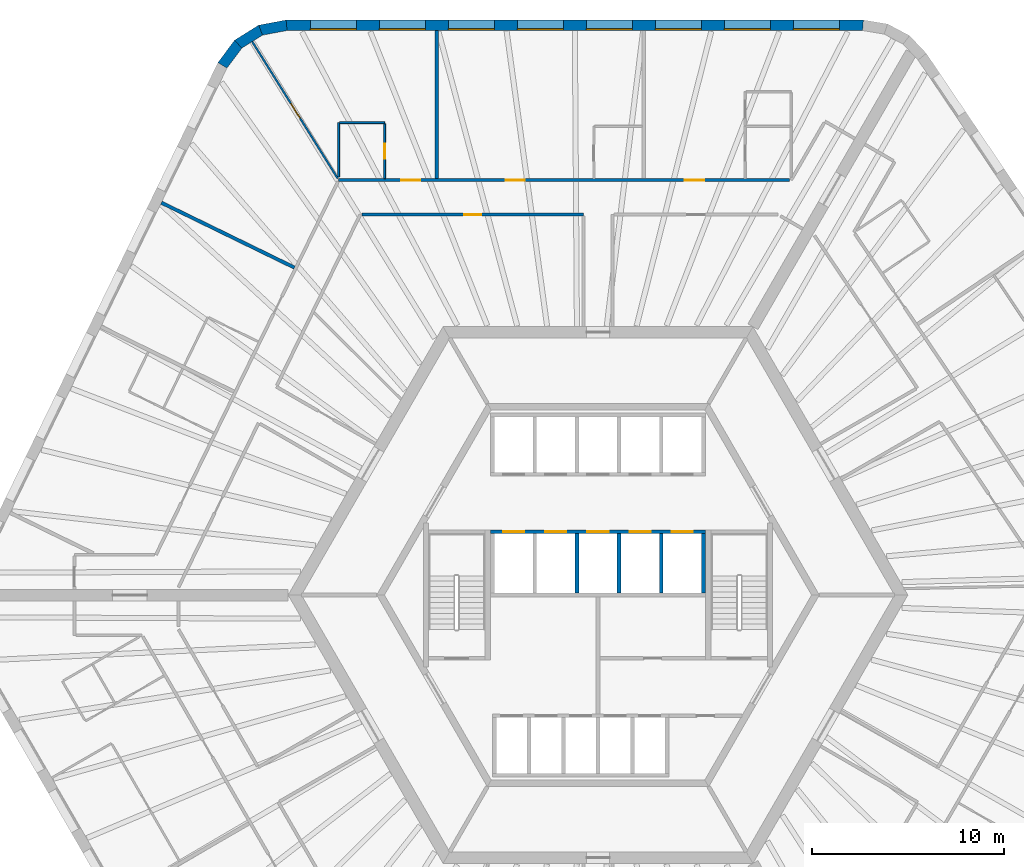
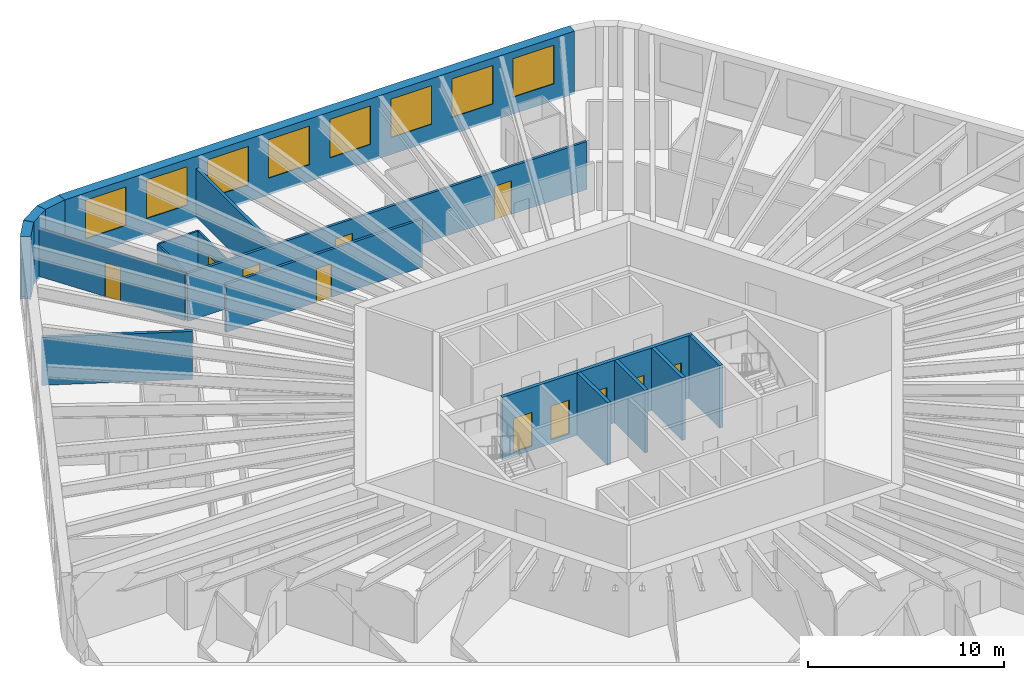
# One storey, part 8 of 12: 17 walls, 11 doors, 8 windows, 19 openings.
"""IFC4 building model written with IfcOpenShell, lengths in metres."""

from ifc_helpers import new_model, si_unit, direction, frame, frame_2d, origin, place, context, subcontext, project, spatial, polyline, rectangle, outline, extrude, material, layer, layer_set, type_object, element, fill, save


model = new_model("IFC4")

# Units and contexts
model_context = context("Model", 3, precision=1e-05, world=origin(), true_north=direction((0.0, 1.0)))
body_context = subcontext(model_context, "Body", "Model", "MODEL_VIEW")
ifc_project = project(units=[si_unit("LENGTHUNIT", "METRE"), si_unit("AREAUNIT", "SQUARE_METRE"), si_unit("VOLUMEUNIT", "CUBIC_METRE"), si_unit("PLANEANGLEUNIT", "RADIAN"), si_unit("MASSUNIT", "GRAM", prefix="KILO")], contexts=[model_context])

# Site, building, storey
site_placement = place(None, origin())
site = spatial("IfcSite", under=ifc_project, at=site_placement, CompositionType="ELEMENT")
building_placement = place(site_placement, origin())
building = spatial("IfcBuilding", under=site, at=building_placement, Name="Tarnside Tower", CompositionType="ELEMENT")
storey_placement = place(building_placement, frame((0.0, 0.0, 84.300048828125)))
storey = spatial("IfcBuildingStorey", under=building, at=storey_placement, Name="L18", CompositionType="ELEMENT", Elevation=84.300048828125)

# Walls
ifc_material_1 = material(Name="Gypsum board partition on steel studs", Category="steel")
ifc_layer_1 = layer(ifc_material_1, 0.10009765625)
ifc_layer_set_1 = layer_set([ifc_layer_1], Name="Bathroom wall 100")
wall_type_1 = type_object("IfcWallType", Name="Bathroom wall 100", PredefinedType="PARTITIONING", material=ifc_layer_set_1)
wall_1_placement = place(storey_placement, frame((-13.5283203125, 21.821044921875, 0.0), z_axis=(0.0, 0.0, 1.0), x_axis=(0.0, 1.0, 0.0)))
element("IfcWall", 1, at=wall_1_placement, inside=storey, type_object=wall_type_1, Name="Bathroom wall 05090", PredefinedType="PARTITIONING", context=body_context, shape_type="SweptSolid", body=[
    extrude(rectangle(XDim=2.828857421875, YDim=0.10009765625, at=frame_2d((1.41455078125, 0.0))), origin(), (0.0, 0.0, 1.0), 2.98779296875),
])
wall_2_placement = place(storey_placement, frame((-13.478515625, 24.64990234375, 0.0), z_axis=(0.0, 0.0, 1.0), x_axis=(1.0, 0.0, 0.0)))
element("IfcWall", 2, at=wall_2_placement, inside=storey, type_object=wall_type_1, Name="Bathroom wall 05091", PredefinedType="PARTITIONING", context=body_context, shape_type="SweptSolid", body=[
    extrude(rectangle(XDim=2.35009765625, YDim=0.10009765625, at=frame_2d((1.175048828125, 0.0))), origin(), (0.0, 0.0, 1.0), 2.98779296875),
])

# Wall, opening, door
wall_3_placement = place(storey_placement, frame((-11.12841796875, 24.60009765625, 0.0), z_axis=(0.0, 0.0, 1.0), x_axis=(0.0, -1.0, 0.0)))
wall_3 = element("IfcWall", 3, at=wall_3_placement, inside=storey, type_object=wall_type_1, Name="Bathroom wall 05092", PredefinedType="PARTITIONING", context=body_context, shape_type="SweptSolid", body=[
    extrude(rectangle(XDim=2.875, YDim=0.10009765625, at=frame_2d((1.4375, 0.0))), origin(), (0.0, 0.0, 1.0), 2.98779296875),
])
opening_1_placement = place(wall_3_placement, frame((1.050048828125, 0.0, 0.0)))
opening_1 = element("IfcOpeningElement", 4, at=opening_1_placement, cuts=wall_3, Name="Opening D-B1", PredefinedType="OPENING", context=body_context, shape_type="SweptSolid", body=[
    extrude(rectangle(XDim=0.800048828125, YDim=2.10009765625, at=frame_2d((0.39990234375, 1.050048828125))), frame((0.0, 0.06005859375, 0.0), z_axis=(0.0, -1.0, 0.0), x_axis=(1.0, 0.0, 0.0)), (0.0, 0.0, 1.0), 0.1201171875),
])
ifc_material_2 = material(Name="Timber door leaf", Category="wood")
door_type_1 = type_object("IfcDoorType", Name="Bathroom door 800", OperationType="NOTDEFINED", PredefinedType="DOOR", material=ifc_material_2)
door_1_placement = place(opening_1_placement, origin())
door_1 = element("IfcDoor", 5, at=door_1_placement, inside=storey, type_object=door_type_1, Name="Bathroom door 05007", OperationType="SINGLE_SWING_RIGHT", OverallHeight=2.10009765625, OverallWidth=0.800048828125, PredefinedType="DOOR", context=body_context, shape_type="SweptSolid", body=[
    extrude(rectangle(XDim=0.800048828125, YDim=2.10009765625, at=frame_2d((0.39990234375, 1.050048828125))), frame((0.0, 0.02490234375, 0.0), z_axis=(0.0, -1.0, 0.0), x_axis=(1.0, 0.0, 0.0)), (0.0, 0.0, 1.0), 0.050048828125),
])
fill(opening_1, door_1)

# Wall, openings, doors
ifc_layer_2 = layer(ifc_material_1, 0.14990234375)
ifc_layer_set_2 = layer_set([ifc_layer_2], Name="Corridor wall 150 EI 60")
wall_type_2 = type_object("IfcWallType", Name="Corridor wall 150 EI 60", PredefinedType="PARTITIONING", material=ifc_layer_set_2)
wall_4_placement = place(storey_placement, frame((9.988037109375, 21.64990234375, 0.0), z_axis=(0.0, 0.0, 1.0), x_axis=(-1.0, 0.0, 0.0)))
wall_4 = element("IfcWall", 6, at=wall_4_placement, inside=storey, type_object=wall_type_2, Name="Corridor wall 05001", PredefinedType="PARTITIONING", context=body_context, shape_type="SweptSolid", body=[
    extrude(rectangle(XDim=23.516357421875, YDim=0.14990234375, at=frame_2d((11.75830078125, 0.0))), origin(), (0.0, 0.0, 1.0), 2.98779296875),
])
opening_2_placement = place(wall_4_placement, frame((4.456298828125, 0.0, 0.0)))
opening_2 = element("IfcOpeningElement", 7, at=opening_2_placement, cuts=wall_4, Name="Opening D-E1", PredefinedType="OPENING", context=body_context, shape_type="SweptSolid", body=[
    extrude(rectangle(XDim=1.0, YDim=2.10009765625, at=frame_2d((0.5, 1.050048828125))), frame((0.0, 0.0849609375, 0.0), z_axis=(0.0, -1.0, 0.0), x_axis=(1.0, 0.0, 0.0)), (0.0, 0.0, 1.0), 0.169921875),
])
opening_3_placement = place(wall_4_placement, frame((13.79931640625, 0.0, 0.0)))
opening_3 = element("IfcOpeningElement", 8, at=opening_3_placement, cuts=wall_4, Name="Opening D-E1", PredefinedType="OPENING", context=body_context, shape_type="SweptSolid", body=[
    extrude(rectangle(XDim=1.0, YDim=2.10009765625, at=frame_2d((0.5, 1.050048828125))), frame((0.0, 0.0849609375, 0.0), z_axis=(0.0, -1.0, 0.0), x_axis=(1.0, 0.0, 0.0)), (0.0, 0.0, 1.0), 0.169921875),
])
opening_4_placement = place(wall_4_placement, frame((19.2578125, 0.0, 0.0)))
opening_4 = element("IfcOpeningElement", 9, at=opening_4_placement, cuts=wall_4, Name="Opening D-E1", PredefinedType="OPENING", context=body_context, shape_type="SweptSolid", body=[
    extrude(rectangle(XDim=1.0, YDim=2.10009765625, at=frame_2d((0.5, 1.050048828125))), frame((0.0, 0.0849609375, 0.0), z_axis=(0.0, -1.0, 0.0), x_axis=(1.0, 0.0, 0.0)), (0.0, 0.0, 1.0), 0.169921875),
])
door_type_2 = type_object("IfcDoorType", Name="Unit entrance door 1000 FD30S", OperationType="NOTDEFINED", PredefinedType="DOOR", material=ifc_material_2)
door_2_placement = place(opening_2_placement, origin())
door_2 = element("IfcDoor", 10, at=door_2_placement, inside=storey, type_object=door_type_2, Name="Unit door 05001", OperationType="SINGLE_SWING_RIGHT", OverallHeight=2.10009765625, OverallWidth=1.0, PredefinedType="DOOR", context=body_context, shape_type="SweptSolid", body=[
    extrude(rectangle(XDim=1.0, YDim=2.10009765625, at=frame_2d((0.5, 1.050048828125))), frame((0.0, 0.02490234375, 0.0), z_axis=(0.0, -1.0, 0.0), x_axis=(1.0, 0.0, 0.0)), (0.0, 0.0, 1.0), 0.050048828125),
])
fill(opening_2, door_2)
door_3_placement = place(opening_3_placement, origin())
door_3 = element("IfcDoor", 11, at=door_3_placement, inside=storey, type_object=door_type_2, Name="Unit door 05004", OperationType="SINGLE_SWING_LEFT", OverallHeight=2.10009765625, OverallWidth=1.0, PredefinedType="DOOR", context=body_context, shape_type="SweptSolid", body=[
    extrude(rectangle(XDim=1.0, YDim=2.10009765625, at=frame_2d((0.5, 1.050048828125))), frame((0.0, 0.02490234375, 0.0), z_axis=(0.0, -1.0, 0.0), x_axis=(1.0, 0.0, 0.0)), (0.0, 0.0, 1.0), 0.050048828125),
])
fill(opening_3, door_3)
door_4_placement = place(opening_4_placement, origin())
door_4 = element("IfcDoor", 12, at=door_4_placement, inside=storey, type_object=door_type_2, Name="Unit door 05006", OperationType="SINGLE_SWING_RIGHT", OverallHeight=2.10009765625, OverallWidth=1.0, PredefinedType="DOOR", context=body_context, shape_type="SweptSolid", body=[
    extrude(rectangle(XDim=1.0, YDim=2.10009765625, at=frame_2d((0.5, 1.050048828125))), frame((0.0, 0.02490234375, 0.0), z_axis=(0.0, -1.0, 0.0), x_axis=(1.0, 0.0, 0.0)), (0.0, 0.0, 1.0), 0.050048828125),
])
fill(opening_4, door_4)

# Wall, opening, door
wall_5_placement = place(storey_placement, frame((-12.3203125, 19.85009765625, 0.0), z_axis=(0.0, 0.0, 1.0), x_axis=(1.0, 0.0, 0.0)))
wall_5 = element("IfcWall", 13, at=wall_5_placement, inside=storey, type_object=wall_type_2, Name="Corridor wall 05018", PredefinedType="PARTITIONING", context=body_context, shape_type="SweptSolid", body=[
    extrude(rectangle(XDim=11.5703125, YDim=0.14990234375, at=frame_2d((5.78515625, 0.0))), origin(), (0.0, 0.0, 1.0), 2.98779296875),
])
opening_5_placement = place(wall_5_placement, frame((5.335205078125, 0.0, 0.0)))
opening_5 = element("IfcOpeningElement", 14, at=opening_5_placement, cuts=wall_5, Name="Opening D-S1", PredefinedType="OPENING", context=body_context, shape_type="SweptSolid", body=[
    extrude(rectangle(XDim=0.89990234375, YDim=2.10009765625, at=frame_2d((0.449951171875, 1.050048828125))), frame((0.0, 0.0849609375, 0.0), z_axis=(0.0, -1.0, 0.0), x_axis=(1.0, 0.0, 0.0)), (0.0, 0.0, 1.0), 0.169921875),
])
door_type_3 = type_object("IfcDoorType", Name="Service room door 900 FD30S", OperationType="NOTDEFINED", PredefinedType="DOOR", material=ifc_material_2)
door_5_placement = place(opening_5_placement, origin())
door_5 = element("IfcDoor", 15, at=door_5_placement, inside=storey, type_object=door_type_3, Name="Service door 05041", OperationType="SINGLE_SWING_RIGHT", OverallHeight=2.10009765625, OverallWidth=0.89990234375, PredefinedType="DOOR", context=body_context, shape_type="SweptSolid", body=[
    extrude(rectangle(XDim=0.89990234375, YDim=2.10009765625, at=frame_2d((0.449951171875, 1.050048828125))), frame((0.0, 0.02490234375, 0.0), z_axis=(0.0, -1.0, 0.0), x_axis=(1.0, 0.0, 0.0)), (0.0, 0.0, 1.0), 0.050048828125),
])
fill(opening_5, door_5)

# Walls
ifc_layer_3 = layer(ifc_material_1, 0.179931640625)
ifc_layer_set_3 = layer_set([ifc_layer_3], Name="Demising wall 180 EI 60")
wall_type_3 = type_object("IfcWallType", Name="Demising wall 180 EI 60", PredefinedType="PARTITIONING", material=ifc_layer_set_3)
for number, where, z_axis, x_axis, name in (
    (16, (-8.4111328125, 29.449951171875, 0.0), (0.0, 0.0, 1.0), (0.0, -1.0, 0.0), "Demising wall 05089"),
    (17, (-22.7822265625, 20.469970703125, 0.0), (0.0, 0.0, 1.0), (0.898789402655, -0.438380667542, 0.0), "Demising wall 05094"),
):
    element("IfcWall", number, at=place(storey_placement, frame(where, z_axis=z_axis, x_axis=x_axis)), inside=storey, type_object=wall_type_3, Name=name, PredefinedType="PARTITIONING", context=body_context, shape_type="SweptSolid", body=[
        extrude(rectangle(XDim=7.724853515625, YDim=0.179931640625, at=frame_2d((3.8623046875, 0.0))), origin(), (0.0, 0.0, 1.0), 2.98779296875),
    ])

# Wall, openings, doors
ifc_material_3 = material(Name="Concrete C40/50", Category="concrete")
ifc_layer_4 = layer(ifc_material_3, 0.199951171875)
ifc_layer_set_4 = layer_set([ifc_layer_4], Name="Lift shaft wall 200 C40/50")
wall_type_4 = type_object("IfcWallType", Name="Lift shaft wall 200 C40/50", PredefinedType="SHEAR", material=ifc_layer_set_4)
wall_6_placement = place(storey_placement, frame((-5.60009765625, 3.300048828125, -0.25), z_axis=(0.0, 0.0, 1.0), x_axis=(1.0, 0.0, 0.0)))
wall_6 = element("IfcWall", 18, at=wall_6_placement, inside=storey, type_object=wall_type_4, Name="L18 lift shaft front wall R2", PredefinedType="SHEAR", context=body_context, shape_type="SweptSolid", body=[
    extrude(rectangle(XDim=11.2001953125, YDim=0.199951171875, at=frame_2d((5.60009765625, 0.0))), origin(), (0.0, 0.0, 1.0), 3.89990234375),
])
opening_6_placement = place(wall_6_placement, frame((0.64990234375, 0.0, 0.25)))
opening_6 = element("IfcOpeningElement", 19, at=opening_6_placement, cuts=wall_6, Name="Opening LD", PredefinedType="OPENING", context=body_context, shape_type="SweptSolid", body=[
    extrude(rectangle(XDim=1.10009765625, YDim=2.10009765625, at=frame_2d((0.550048828125, 1.050048828125))), frame((0.0, 0.10986328125, 0.0), z_axis=(0.0, -1.0, 0.0), x_axis=(1.0, 0.0, 0.0)), (0.0, 0.0, 1.0), 0.219970703125),
])
opening_7_placement = place(wall_6_placement, frame((2.85009765625, 0.0, 0.25)))
opening_7 = element("IfcOpeningElement", 20, at=opening_7_placement, cuts=wall_6, Name="Opening LD", PredefinedType="OPENING", context=body_context, shape_type="SweptSolid", body=[
    extrude(rectangle(XDim=1.10009765625, YDim=2.10009765625, at=frame_2d((0.550048828125, 1.050048828125))), frame((0.0, 0.10986328125, 0.0), z_axis=(0.0, -1.0, 0.0), x_axis=(1.0, 0.0, 0.0)), (0.0, 0.0, 1.0), 0.219970703125),
])
opening_8_placement = place(wall_6_placement, frame((5.050048828125, 0.0, 0.25)))
opening_8 = element("IfcOpeningElement", 21, at=opening_8_placement, cuts=wall_6, Name="Opening LD", PredefinedType="OPENING", context=body_context, shape_type="SweptSolid", body=[
    extrude(rectangle(XDim=1.10009765625, YDim=2.10009765625, at=frame_2d((0.550048828125, 1.050048828125))), frame((0.0, 0.10986328125, 0.0), z_axis=(0.0, -1.0, 0.0), x_axis=(1.0, 0.0, 0.0)), (0.0, 0.0, 1.0), 0.219970703125),
])
opening_9_placement = place(wall_6_placement, frame((7.25, 0.0, 0.25)))
opening_9 = element("IfcOpeningElement", 22, at=opening_9_placement, cuts=wall_6, Name="Opening LD", PredefinedType="OPENING", context=body_context, shape_type="SweptSolid", body=[
    extrude(rectangle(XDim=1.10009765625, YDim=2.10009765625, at=frame_2d((0.550048828125, 1.050048828125))), frame((0.0, 0.10986328125, 0.0), z_axis=(0.0, -1.0, 0.0), x_axis=(1.0, 0.0, 0.0)), (0.0, 0.0, 1.0), 0.219970703125),
])
opening_10_placement = place(wall_6_placement, frame((9.449951171875, 0.0, 0.25)))
opening_10 = element("IfcOpeningElement", 23, at=opening_10_placement, cuts=wall_6, Name="Opening LD", PredefinedType="OPENING", context=body_context, shape_type="SweptSolid", body=[
    extrude(rectangle(XDim=1.10009765625, YDim=2.10009765625, at=frame_2d((0.550048828125, 1.050048828125))), frame((0.0, 0.10986328125, 0.0), z_axis=(0.0, -1.0, 0.0), x_axis=(1.0, 0.0, 0.0)), (0.0, 0.0, 1.0), 0.219970703125),
])
ifc_material_4 = material(Name="Stainless steel", Category="steel")
door_type_4 = type_object("IfcDoorType", Name="Lift landing door 1100x2100", OperationType="NOTDEFINED", PredefinedType="DOOR", material=ifc_material_4)
door_6_placement = place(opening_6_placement, origin())
door_6 = element("IfcDoor", 24, at=door_6_placement, inside=storey, type_object=door_type_4, Name="Low-rise lift 4 landing door L18", OperationType="SLIDING_TO_LEFT", OverallHeight=2.10009765625, OverallWidth=1.10009765625, PredefinedType="DOOR", context=body_context, shape_type="SweptSolid", body=[
    extrude(rectangle(XDim=1.10009765625, YDim=2.10009765625, at=frame_2d((0.550048828125, 1.050048828125))), frame((0.0, 0.02490234375, 0.0), z_axis=(0.0, -1.0, 0.0), x_axis=(1.0, 0.0, 0.0)), (0.0, 0.0, 1.0), 0.050048828125),
])
fill(opening_6, door_6)
door_7_placement = place(opening_7_placement, origin())
door_7 = element("IfcDoor", 25, at=door_7_placement, inside=storey, type_object=door_type_4, Name="Low-rise lift 5 landing door L18", OperationType="SLIDING_TO_LEFT", OverallHeight=2.10009765625, OverallWidth=1.10009765625, PredefinedType="DOOR", context=body_context, shape_type="SweptSolid", body=[
    extrude(rectangle(XDim=1.10009765625, YDim=2.10009765625, at=frame_2d((0.550048828125, 1.050048828125))), frame((0.0, 0.02490234375, 0.0), z_axis=(0.0, -1.0, 0.0), x_axis=(1.0, 0.0, 0.0)), (0.0, 0.0, 1.0), 0.050048828125),
])
fill(opening_7, door_7)
door_8_placement = place(opening_8_placement, origin())
door_8 = element("IfcDoor", 26, at=door_8_placement, inside=storey, type_object=door_type_4, Name="Low-rise lift 6 landing door L18", OperationType="SLIDING_TO_LEFT", OverallHeight=2.10009765625, OverallWidth=1.10009765625, PredefinedType="DOOR", context=body_context, shape_type="SweptSolid", body=[
    extrude(rectangle(XDim=1.10009765625, YDim=2.10009765625, at=frame_2d((0.550048828125, 1.050048828125))), frame((0.0, 0.02490234375, 0.0), z_axis=(0.0, -1.0, 0.0), x_axis=(1.0, 0.0, 0.0)), (0.0, 0.0, 1.0), 0.050048828125),
])
fill(opening_8, door_8)
door_9_placement = place(opening_9_placement, origin())
door_9 = element("IfcDoor", 27, at=door_9_placement, inside=storey, type_object=door_type_4, Name="High sky-lobby shuttle 1 landing door L18", OperationType="SLIDING_TO_LEFT", OverallHeight=2.10009765625, OverallWidth=1.10009765625, PredefinedType="DOOR", context=body_context, shape_type="SweptSolid", body=[
    extrude(rectangle(XDim=1.10009765625, YDim=2.10009765625, at=frame_2d((0.550048828125, 1.050048828125))), frame((0.0, 0.02490234375, 0.0), z_axis=(0.0, -1.0, 0.0), x_axis=(1.0, 0.0, 0.0)), (0.0, 0.0, 1.0), 0.050048828125),
])
fill(opening_9, door_9)
door_10_placement = place(opening_10_placement, origin())
door_10 = element("IfcDoor", 28, at=door_10_placement, inside=storey, type_object=door_type_4, Name="Express sky-lobby shuttle 2 landing door L18", OperationType="SLIDING_TO_LEFT", OverallHeight=2.10009765625, OverallWidth=1.10009765625, PredefinedType="DOOR", context=body_context, shape_type="SweptSolid", body=[
    extrude(rectangle(XDim=1.10009765625, YDim=2.10009765625, at=frame_2d((0.550048828125, 1.050048828125))), frame((0.0, 0.02490234375, 0.0), z_axis=(0.0, -1.0, 0.0), x_axis=(1.0, 0.0, 0.0)), (0.0, 0.0, 1.0), 0.050048828125),
])
fill(opening_10, door_10)

# Walls
for number, where, z_axis, x_axis, name in (
    (29, (-1.10009765625, 0.10009765625, -0.25), (0.0, 0.0, 1.0), (0.0, 1.0, 0.0), "L18 lift shaft partition R23"),
    (30, (1.10009765625, 0.10009765625, -0.25), (0.0, 0.0, 1.0), (0.0, 1.0, 0.0), "L18 lift shaft partition R24"),
    (31, (3.300048828125, 0.10009765625, -0.25), (0.0, 0.0, 1.0), (0.0, 1.0, 0.0), "L18 lift shaft partition R25"),
    (32, (5.5, 0.10009765625, -0.25), (0.0, 0.0, 1.0), (0.0, 1.0, 0.0), "L18 lift shaft partition R26"),
):
    element("IfcWall", number, at=place(storey_placement, frame(where, z_axis=z_axis, x_axis=x_axis)), inside=storey, type_object=wall_type_4, Name=name, PredefinedType="SHEAR", context=body_context, shape_type="SweptSolid", body=[
        extrude(rectangle(XDim=3.099853515625, YDim=0.199951171875, at=frame_2d((1.5498046875, 0.0))), origin(), (0.0, 0.0, 1.0), 3.89990234375),
    ])

# Wall, opening, door
ifc_layer_5 = layer(ifc_material_1, 0.10009765625)
ifc_layer_set_5 = layer_set([ifc_layer_5], Name="Partition 100")
wall_type_5 = type_object("IfcWallType", Name="Partition 100", PredefinedType="PARTITIONING", material=ifc_layer_set_5)
wall_7_placement = place(storey_placement, frame((-18.040771484375, 28.87109375, 0.0), z_axis=(0.0, 0.0, 1.0), x_axis=(0.529931179757, -0.848040650394, 0.0)))
wall_7 = element("IfcWall", 33, at=wall_7_placement, inside=storey, type_object=wall_type_5, Name="Partition wall 05093", PredefinedType="PARTITIONING", context=body_context, shape_type="SweptSolid", body=[
    extrude(rectangle(XDim=8.420654296875, YDim=0.10009765625, at=frame_2d((4.21044921875, 0.0))), origin(), (0.0, 0.0, 1.0), 2.98779296875),
])
opening_11_placement = place(wall_7_placement, frame((3.8076171875, 0.0, 0.0)))
opening_11 = element("IfcOpeningElement", 34, at=opening_11_placement, cuts=wall_7, Name="Opening D-I1", PredefinedType="OPENING", context=body_context, shape_type="SweptSolid", body=[
    extrude(rectangle(XDim=0.89990234375, YDim=2.10009765625, at=frame_2d((0.449951171875, 1.050048828125))), frame((0.0, 0.06005859375, 0.0), z_axis=(0.0, -1.0, 0.0), x_axis=(1.0, 0.0, 0.0)), (0.0, 0.0, 1.0), 0.1201171875),
])
door_type_5 = type_object("IfcDoorType", Name="Internal door 900", OperationType="NOTDEFINED", PredefinedType="DOOR", material=ifc_material_2)
door_11_placement = place(opening_11_placement, origin())
door_11 = element("IfcDoor", 35, at=door_11_placement, inside=storey, type_object=door_type_5, Name="Internal door 05008", OperationType="SINGLE_SWING_LEFT", OverallHeight=2.10009765625, OverallWidth=0.89990234375, PredefinedType="DOOR", context=body_context, shape_type="SweptSolid", body=[
    extrude(rectangle(XDim=0.89990234375, YDim=2.10009765625, at=frame_2d((0.449951171875, 1.050048828125))), frame((0.0, 0.02490234375, 0.0), z_axis=(0.0, -1.0, 0.0), x_axis=(1.0, 0.0, 0.0)), (0.0, 0.0, 1.0), 0.050048828125),
])
fill(opening_11, door_11)

# Wall, openings, windows
ifc_material_5 = material(Name="Facing brick", Category="masonry")
ifc_layer_6 = layer(ifc_material_5, 0.10205078125)
ifc_material_6 = material(Name="Concrete C60/75 precast", Category="concrete")
ifc_layer_7 = layer(ifc_material_6, 0.347900390625)
ifc_material_7 = material(Name="Mineral wool insulation")
ifc_layer_8 = layer(ifc_material_7, 0.10009765625)
ifc_layer_set_6 = layer_set([ifc_layer_6, ifc_layer_7, ifc_layer_8], Name="Tube wall 550 brick faced")
wall_type_6 = type_object("IfcWallType", Name="Tube wall 550 brick faced", PredefinedType="SOLIDWALL", material=ifc_layer_set_6)
wall_8_placement = place(storey_placement, frame((13.824462890625, 29.72509765625, -0.150146484375), z_axis=(0.0, 0.0, 1.0), x_axis=(-1.0, 0.0, 0.0)))
wall_8 = element("IfcWall", 36, at=wall_8_placement, inside=storey, type_object=wall_type_6, Name="Tube wall L18 F1 flush 00", PredefinedType="SOLIDWALL", context=body_context, shape_type="SweptSolid", body=[
    extrude(outline(polyline([(-0.0224609375, -0.27490234375), (30.0966796875, -0.27490234375), (30.04541015625, 0.27490234375), (0.0224609375, 0.27490234375), (-0.0224609375, -0.27490234375)])), origin(), (0.0, 0.0, 1.0), 3.900146484375),
])
opening_12_placement = place(wall_8_placement, frame((1.235595703125, 0.0, 1.050048828125)))
opening_12 = element("IfcOpeningElement", 37, at=opening_12_placement, cuts=wall_8, Name="Opening WH", PredefinedType="OPENING", context=body_context, shape_type="SweptSolid", body=[
    extrude(rectangle(XDim=2.39990234375, YDim=2.39990234375, at=frame_2d((1.199951171875, 1.199951171875))), frame((0.0, 0.28515625, 0.0), z_axis=(0.0, -1.0, 0.0), x_axis=(1.0, 0.0, 0.0)), (0.0, 0.0, 1.0), 0.570068359375),
])
opening_13_placement = place(wall_8_placement, frame((4.83544921875, 0.0, 1.050048828125)))
opening_13 = element("IfcOpeningElement", 38, at=opening_13_placement, cuts=wall_8, Name="Opening WH", PredefinedType="OPENING", context=body_context, shape_type="SweptSolid", body=[
    extrude(rectangle(XDim=2.39990234375, YDim=2.39990234375, at=frame_2d((1.199951171875, 1.199951171875))), frame((0.0, 0.28515625, 0.0), z_axis=(0.0, -1.0, 0.0), x_axis=(1.0, 0.0, 0.0)), (0.0, 0.0, 1.0), 0.570068359375),
])
opening_14_placement = place(wall_8_placement, frame((8.435546875, 0.0, 1.050048828125)))
opening_14 = element("IfcOpeningElement", 39, at=opening_14_placement, cuts=wall_8, Name="Opening WH", PredefinedType="OPENING", context=body_context, shape_type="SweptSolid", body=[
    extrude(rectangle(XDim=2.39990234375, YDim=2.39990234375, at=frame_2d((1.199951171875, 1.199951171875))), frame((0.0, 0.28515625, 0.0), z_axis=(0.0, -1.0, 0.0), x_axis=(1.0, 0.0, 0.0)), (0.0, 0.0, 1.0), 0.570068359375),
])
opening_15_placement = place(wall_8_placement, frame((12.035400390625, 0.0, 1.050048828125)))
opening_15 = element("IfcOpeningElement", 40, at=opening_15_placement, cuts=wall_8, Name="Opening WH", PredefinedType="OPENING", context=body_context, shape_type="SweptSolid", body=[
    extrude(rectangle(XDim=2.39990234375, YDim=2.39990234375, at=frame_2d((1.199951171875, 1.199951171875))), frame((0.0, 0.28515625, 0.0), z_axis=(0.0, -1.0, 0.0), x_axis=(1.0, 0.0, 0.0)), (0.0, 0.0, 1.0), 0.570068359375),
])
opening_16_placement = place(wall_8_placement, frame((15.635498046875, 0.0, 1.050048828125)))
opening_16 = element("IfcOpeningElement", 41, at=opening_16_placement, cuts=wall_8, Name="Opening WH", PredefinedType="OPENING", context=body_context, shape_type="SweptSolid", body=[
    extrude(rectangle(XDim=2.39990234375, YDim=2.39990234375, at=frame_2d((1.199951171875, 1.199951171875))), frame((0.0, 0.28515625, 0.0), z_axis=(0.0, -1.0, 0.0), x_axis=(1.0, 0.0, 0.0)), (0.0, 0.0, 1.0), 0.570068359375),
])
opening_17_placement = place(wall_8_placement, frame((19.235595703125, 0.0, 1.050048828125)))
opening_17 = element("IfcOpeningElement", 42, at=opening_17_placement, cuts=wall_8, Name="Opening WH", PredefinedType="OPENING", context=body_context, shape_type="SweptSolid", body=[
    extrude(rectangle(XDim=2.39990234375, YDim=2.39990234375, at=frame_2d((1.199951171875, 1.199951171875))), frame((0.0, 0.28515625, 0.0), z_axis=(0.0, -1.0, 0.0), x_axis=(1.0, 0.0, 0.0)), (0.0, 0.0, 1.0), 0.570068359375),
])
opening_18_placement = place(wall_8_placement, frame((22.83544921875, 0.0, 1.050048828125)))
opening_18 = element("IfcOpeningElement", 43, at=opening_18_placement, cuts=wall_8, Name="Opening WH", PredefinedType="OPENING", context=body_context, shape_type="SweptSolid", body=[
    extrude(rectangle(XDim=2.39990234375, YDim=2.39990234375, at=frame_2d((1.199951171875, 1.199951171875))), frame((0.0, 0.28515625, 0.0), z_axis=(0.0, -1.0, 0.0), x_axis=(1.0, 0.0, 0.0)), (0.0, 0.0, 1.0), 0.570068359375),
])
opening_19_placement = place(wall_8_placement, frame((26.435546875, 0.0, 1.050048828125)))
opening_19 = element("IfcOpeningElement", 44, at=opening_19_placement, cuts=wall_8, Name="Opening WH", PredefinedType="OPENING", context=body_context, shape_type="SweptSolid", body=[
    extrude(rectangle(XDim=2.39990234375, YDim=2.39990234375, at=frame_2d((1.199951171875, 1.199951171875))), frame((0.0, 0.28515625, 0.0), z_axis=(0.0, -1.0, 0.0), x_axis=(1.0, 0.0, 0.0)), (0.0, 0.0, 1.0), 0.570068359375),
])
ifc_material_8 = material(Name="Aluminium-framed double glazing", Category="aluminium")
window_type = type_object("IfcWindowType", Name="Hotel window 2400 x 2400", PartitioningType="DOUBLE_PANEL_VERTICAL", PredefinedType="WINDOW", material=ifc_material_8)
window_1_placement = place(opening_12_placement, frame((0.0, 0.205078125, 0.0)))
window_1 = element("IfcWindow", 45, at=window_1_placement, inside=storey, type_object=window_type, Name="E.WN.L18.F1.00", OverallHeight=2.39990234375, OverallWidth=2.39990234375, PartitioningType="DOUBLE_PANEL_VERTICAL", PredefinedType="WINDOW", context=body_context, shape_type="SweptSolid", body=[
    extrude(rectangle(XDim=2.39990234375, YDim=2.39990234375, at=frame_2d((1.199951171875, 1.199951171875))), frame((0.0, 0.030029296875, 0.0), z_axis=(0.0, -1.0, 0.0), x_axis=(1.0, 0.0, 0.0)), (0.0, 0.0, 1.0), 0.06005859375),
])
fill(opening_12, window_1)
window_2_placement = place(opening_13_placement, frame((0.0, 0.205078125, 0.0)))
window_2 = element("IfcWindow", 46, at=window_2_placement, inside=storey, type_object=window_type, Name="E.WN.L18.F1.01", OverallHeight=2.39990234375, OverallWidth=2.39990234375, PartitioningType="DOUBLE_PANEL_VERTICAL", PredefinedType="WINDOW", context=body_context, shape_type="SweptSolid", body=[
    extrude(rectangle(XDim=2.39990234375, YDim=2.39990234375, at=frame_2d((1.199951171875, 1.199951171875))), frame((0.0, 0.030029296875, 0.0), z_axis=(0.0, -1.0, 0.0), x_axis=(1.0, 0.0, 0.0)), (0.0, 0.0, 1.0), 0.06005859375),
])
fill(opening_13, window_2)
window_3_placement = place(opening_14_placement, frame((0.0, 0.205078125, 0.0)))
window_3 = element("IfcWindow", 47, at=window_3_placement, inside=storey, type_object=window_type, Name="E.WN.L18.F1.02", OverallHeight=2.39990234375, OverallWidth=2.39990234375, PartitioningType="DOUBLE_PANEL_VERTICAL", PredefinedType="WINDOW", context=body_context, shape_type="SweptSolid", body=[
    extrude(rectangle(XDim=2.39990234375, YDim=2.39990234375, at=frame_2d((1.199951171875, 1.199951171875))), frame((0.0, 0.030029296875, 0.0), z_axis=(0.0, -1.0, 0.0), x_axis=(1.0, 0.0, 0.0)), (0.0, 0.0, 1.0), 0.06005859375),
])
fill(opening_14, window_3)
window_4_placement = place(opening_15_placement, frame((0.0, 0.205078125, 0.0)))
window_4 = element("IfcWindow", 48, at=window_4_placement, inside=storey, type_object=window_type, Name="E.WN.L18.F1.03", OverallHeight=2.39990234375, OverallWidth=2.39990234375, PartitioningType="DOUBLE_PANEL_VERTICAL", PredefinedType="WINDOW", context=body_context, shape_type="SweptSolid", body=[
    extrude(rectangle(XDim=2.39990234375, YDim=2.39990234375, at=frame_2d((1.199951171875, 1.199951171875))), frame((0.0, 0.030029296875, 0.0), z_axis=(0.0, -1.0, 0.0), x_axis=(1.0, 0.0, 0.0)), (0.0, 0.0, 1.0), 0.06005859375),
])
fill(opening_15, window_4)
window_5_placement = place(opening_16_placement, frame((0.0, 0.205078125, 0.0)))
window_5 = element("IfcWindow", 49, at=window_5_placement, inside=storey, type_object=window_type, Name="E.WN.L18.F1.04", OverallHeight=2.39990234375, OverallWidth=2.39990234375, PartitioningType="DOUBLE_PANEL_VERTICAL", PredefinedType="WINDOW", context=body_context, shape_type="SweptSolid", body=[
    extrude(rectangle(XDim=2.39990234375, YDim=2.39990234375, at=frame_2d((1.199951171875, 1.199951171875))), frame((0.0, 0.030029296875, 0.0), z_axis=(0.0, -1.0, 0.0), x_axis=(1.0, 0.0, 0.0)), (0.0, 0.0, 1.0), 0.06005859375),
])
fill(opening_16, window_5)
window_6_placement = place(opening_17_placement, frame((0.0, 0.205078125, 0.0)))
window_6 = element("IfcWindow", 50, at=window_6_placement, inside=storey, type_object=window_type, Name="E.WN.L18.F1.05", OverallHeight=2.39990234375, OverallWidth=2.39990234375, PartitioningType="DOUBLE_PANEL_VERTICAL", PredefinedType="WINDOW", context=body_context, shape_type="SweptSolid", body=[
    extrude(rectangle(XDim=2.39990234375, YDim=2.39990234375, at=frame_2d((1.199951171875, 1.199951171875))), frame((0.0, 0.030029296875, 0.0), z_axis=(0.0, -1.0, 0.0), x_axis=(1.0, 0.0, 0.0)), (0.0, 0.0, 1.0), 0.06005859375),
])
fill(opening_17, window_6)
window_7_placement = place(opening_18_placement, frame((0.0, 0.205078125, 0.0)))
window_7 = element("IfcWindow", 51, at=window_7_placement, inside=storey, type_object=window_type, Name="E.WN.L18.F1.06", OverallHeight=2.39990234375, OverallWidth=2.39990234375, PartitioningType="DOUBLE_PANEL_VERTICAL", PredefinedType="WINDOW", context=body_context, shape_type="SweptSolid", body=[
    extrude(rectangle(XDim=2.39990234375, YDim=2.39990234375, at=frame_2d((1.199951171875, 1.199951171875))), frame((0.0, 0.030029296875, 0.0), z_axis=(0.0, -1.0, 0.0), x_axis=(1.0, 0.0, 0.0)), (0.0, 0.0, 1.0), 0.06005859375),
])
fill(opening_18, window_7)
window_8_placement = place(opening_19_placement, frame((0.0, 0.205078125, 0.0)))
window_8 = element("IfcWindow", 52, at=window_8_placement, inside=storey, type_object=window_type, Name="E.WN.L18.F1.07", OverallHeight=2.39990234375, OverallWidth=2.39990234375, PartitioningType="DOUBLE_PANEL_VERTICAL", PredefinedType="WINDOW", context=body_context, shape_type="SweptSolid", body=[
    extrude(rectangle(XDim=2.39990234375, YDim=2.39990234375, at=frame_2d((1.199951171875, 1.199951171875))), frame((0.0, 0.030029296875, 0.0), z_axis=(0.0, -1.0, 0.0), x_axis=(1.0, 0.0, 0.0)), (0.0, 0.0, 1.0), 0.06005859375),
])
fill(opening_19, window_8)

# Walls
wall_9_placement = place(storey_placement, frame((-16.24658203125, 29.72509765625, -0.150146484375), z_axis=(0.0, 0.0, 1.0), x_axis=(-0.982705443133, -0.185175624845, 0.0)))
element("IfcWall", 53, at=wall_9_placement, inside=storey, type_object=wall_type_6, Name="Tube wall L18 F1 chord 01", PredefinedType="SOLIDWALL", context=body_context, shape_type="SweptSolid", body=[
    extrude(outline(polyline([(-0.025634765625, -0.27490234375), (1.430908203125, -0.27490234375), (1.327392578125, 0.27490234375), (0.025634765625, 0.27490234375), (-0.025634765625, -0.27490234375)])), origin(), (0.0, 0.0, 1.0), 3.900146484375),
])
wall_10_placement = place(storey_placement, frame((-17.601806640625, 29.4697265625, -0.150146484375), z_axis=(0.0, 0.0, 1.0), x_axis=(-0.848057977594, -0.5299034503, 0.0)))
element("IfcWall", 54, at=wall_10_placement, inside=storey, type_object=wall_type_6, Name="Tube wall L18 F1 chord 02", PredefinedType="SOLIDWALL", context=body_context, shape_type="SweptSolid", body=[
    extrude(outline(polyline([(-0.0517578125, -0.27490234375), (1.4306640625, -0.27490234375), (1.3271484375, 0.27490234375), (0.0517578125, 0.27490234375), (-0.0517578125, -0.27490234375)])), origin(), (0.0, 0.0, 1.0), 3.900146484375),
])
wall_11_placement = place(storey_placement, frame((-18.771240234375, 28.739013671875, -0.150146484375), z_axis=(0.0, 0.0, 1.0), x_axis=(-0.597135295884, -0.802140535324, 0.0)))
element("IfcWall", 55, at=wall_11_placement, inside=storey, type_object=wall_type_6, Name="Tube wall L18 F1 chord 03", PredefinedType="SOLIDWALL", context=body_context, shape_type="SweptSolid", body=[
    extrude(outline(polyline([(-0.0517578125, -0.27490234375), (1.40478515625, -0.27490234375), (1.353515625, 0.27490234375), (0.0517578125, 0.27490234375), (-0.0517578125, -0.27490234375)])), origin(), (0.0, 0.0, 1.0), 3.900146484375),
])

save(model, "model.ifc")
